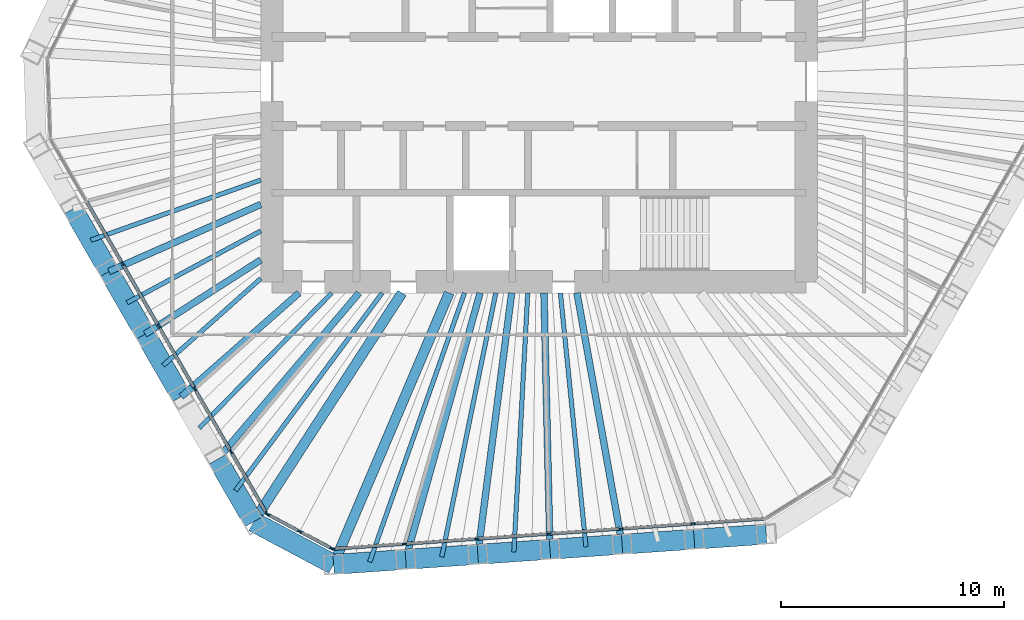
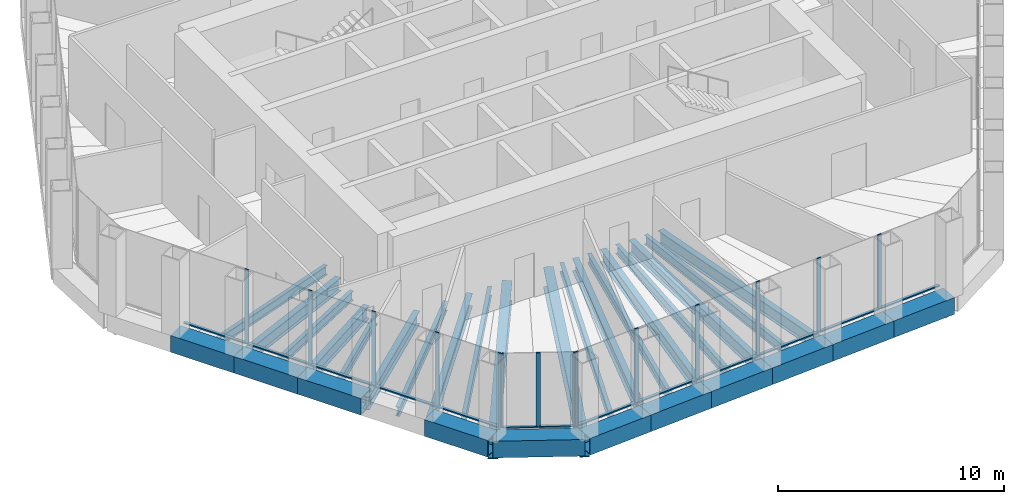
# One storey, part 2 of 14: 30 beams, 27 members, 3 elements without a shape of their own.
"""IFC4 building model written with IfcOpenShell, lengths in metres."""

from ifc_helpers import new_model, si_unit, direction, frame, origin, origin_2d, place, context, subcontext, project, spatial, rectangle, hollow_rectangle, i_section, extrude, material, material_profile, profile_set, type_object, element, aggregate, save


model = new_model("IFC4")

# Units and contexts
model_context = context("Model", 3, precision=1e-05, world=origin(), true_north=direction((0.0, 1.0)))
body_context = subcontext(model_context, "Body", "Model", "MODEL_VIEW")
ifc_project = project(units=[si_unit("LENGTHUNIT", "METRE"), si_unit("AREAUNIT", "SQUARE_METRE"), si_unit("VOLUMEUNIT", "CUBIC_METRE"), si_unit("PLANEANGLEUNIT", "RADIAN"), si_unit("MASSUNIT", "GRAM", prefix="KILO")], contexts=[model_context])

# Site, building, storey
site_placement = place(None, origin())
site = spatial("IfcSite", under=ifc_project, at=site_placement, CompositionType="ELEMENT")
building_placement = place(site_placement, origin())
building = spatial("IfcBuilding", under=site, at=building_placement, Name="Qingtian Harvest Tower", CompositionType="ELEMENT")
storey_placement = place(building_placement, frame((0.0, 0.0, 270.39990234375)))
storey = spatial("IfcBuildingStorey", under=building, at=storey_placement, Name="L59", CompositionType="ELEMENT", Elevation=270.39990234375)

# Beams
ifc_material_1 = material(Name="Steel SM570MC", Category="steel")
ifc_material_profile_1 = material_profile(ifc_material_1, i_section(OverallWidth=0.449951171875, OverallDepth=1.10009765625, WebThickness=0.02197265625, FlangeThickness=0.044921875, at=origin_2d()), Name="H1100x450x22x45")
ifc_profile_set_1 = profile_set([ifc_material_profile_1], Name="Steel SM570MC")
beam_type_1 = type_object("IfcBeamType", Name="Corner floor beam FB8 H1100x450x22x45", PredefinedType="BEAM", material=ifc_profile_set_1)
beam_1_placement = place(storey_placement, frame((-9.231201171875, -21.69677734375, -0.719970703125), z_axis=(0.391497096334, 0.920179343151, 0.0), x_axis=(-0.920179343151, 0.391497096334, 0.0)))
element("IfcBeam", 1, at=beam_1_placement, inside=storey, type_object=beam_type_1, Name="Floor beam FB8 S6", PredefinedType="BEAM", context=body_context, shape_type="SweptSolid", body=[
    extrude(i_section(OverallWidth=0.449951171875, OverallDepth=1.10009765625, WebThickness=0.02197265625, FlangeThickness=0.044921875, at=origin_2d()), origin(), (0.0, 0.0, 1.0), 13.2548828125),
])
beam_2_placement = place(storey_placement, frame((-12.825439453125, -19.78564453125, -0.719970703125), z_axis=(0.543944801957, 0.83912099987, 0.0), x_axis=(-0.83912099987, 0.543944801957, 0.0)))
element("IfcBeam", 2, at=beam_2_placement, inside=storey, type_object=beam_type_1, Name="Floor beam FB8 SW0", PredefinedType="BEAM", context=body_context, shape_type="SweptSolid", body=[
    extrude(i_section(OverallWidth=0.449951171875, OverallDepth=1.10009765625, WebThickness=0.02197265625, FlangeThickness=0.044921875, at=origin_2d()), origin(), (0.0, 0.0, 1.0), 12.257568359375),
])
ifc_material_2 = material(Name="Steel SN490B", Category="steel")
ifc_material_profile_2 = material_profile(ifc_material_2, i_section(OverallWidth=0.300048828125, OverallDepth=0.699951171875, WebThickness=0.012939453125, FlangeThickness=0.02392578125, at=origin_2d()), Name="H700x300x13x24")
ifc_profile_set_2 = profile_set([ifc_material_profile_2], Name="Steel SN490B")
beam_type_2 = type_object("IfcBeamType", Name="Floor beam FB4 H700x300x13x24", PredefinedType="BEAM", material=ifc_profile_set_2)
beam_3_placement = place(storey_placement, frame((3.729248046875, -20.79052734375, -0.52001953125), z_axis=(-0.176549332285, 0.984291792747, 0.0), x_axis=(-0.984291792747, -0.176549332285, 0.0)))
element("IfcBeam", 3, at=beam_3_placement, inside=storey, type_object=beam_type_2, Name="Floor beam FB4 S2", PredefinedType="BEAM", context=body_context, shape_type="SweptSolid", body=[
    extrude(i_section(OverallWidth=0.300048828125, OverallDepth=0.699951171875, WebThickness=0.012939453125, FlangeThickness=0.02392578125, at=origin_2d()), origin(), (0.0, 0.0, 1.0), 11.470703125),
])
beam_4_placement = place(storey_placement, frame((0.489013671875, -21.01708984375, -0.52001953125), z_axis=(-0.023248050009, 0.999729727562, 0.0), x_axis=(-0.999729727562, -0.023248050009, 0.0)))
element("IfcBeam", 4, at=beam_4_placement, inside=storey, type_object=beam_type_2, Name="Floor beam FB4 S3", PredefinedType="BEAM", context=body_context, shape_type="SweptSolid", body=[
    extrude(i_section(OverallWidth=0.300048828125, OverallDepth=0.699951171875, WebThickness=0.012939453125, FlangeThickness=0.02392578125, at=origin_2d()), origin(), (0.0, 0.0, 1.0), 11.520263671875),
])
beam_5_placement = place(storey_placement, frame((-2.7509765625, -21.24365234375, -0.52001953125), z_axis=(0.128423358095, 0.991719436683, 0.0), x_axis=(-0.991719436683, 0.128423358095, 0.0)))
element("IfcBeam", 5, at=beam_5_placement, inside=storey, type_object=beam_type_2, Name="Floor beam FB4 S4", PredefinedType="BEAM", context=body_context, shape_type="SweptSolid", body=[
    extrude(i_section(OverallWidth=0.300048828125, OverallDepth=0.699951171875, WebThickness=0.012939453125, FlangeThickness=0.02392578125, at=origin_2d()), origin(), (0.0, 0.0, 1.0), 11.841796875),
])
beam_6_placement = place(storey_placement, frame((-5.9912109375, -21.47021484375, -0.52001953125), z_axis=(0.268784556761, 0.963200322906, 0.0), x_axis=(-0.963200322906, 0.268784556761, 0.0)))
element("IfcBeam", 6, at=beam_6_placement, inside=storey, type_object=beam_type_2, Name="Floor beam FB4 S5", PredefinedType="BEAM", context=body_context, shape_type="SweptSolid", body=[
    extrude(i_section(OverallWidth=0.300048828125, OverallDepth=0.699951171875, WebThickness=0.012939453125, FlangeThickness=0.02392578125, at=origin_2d()), origin(), (0.0, 0.0, 1.0), 12.427490234375),
])
beam_7_placement = place(storey_placement, frame((-14.449462890625, -16.972900390625, -0.52001953125), z_axis=(0.64823096823, 0.761443768001, 0.0), x_axis=(-0.761443768001, 0.64823096823, 0.0)))
element("IfcBeam", 7, at=beam_7_placement, inside=storey, type_object=beam_type_2, Name="Floor beam FB4 SW1", PredefinedType="BEAM", context=body_context, shape_type="SweptSolid", body=[
    extrude(i_section(OverallWidth=0.300048828125, OverallDepth=0.699951171875, WebThickness=0.012939453125, FlangeThickness=0.02392578125, at=origin_2d()), origin(), (0.0, 0.0, 1.0), 9.814208984375),
])
beam_8_placement = place(storey_placement, frame((-16.073486328125, -14.159912109375, -0.52001953125), z_axis=(0.75036921961, 0.661018936387, 0.0), x_axis=(-0.661018936387, 0.75036921961, 0.0)))
element("IfcBeam", 8, at=beam_8_placement, inside=storey, type_object=beam_type_2, Name="Floor beam FB4 SW2", PredefinedType="BEAM", context=body_context, shape_type="SweptSolid", body=[
    extrude(i_section(OverallWidth=0.300048828125, OverallDepth=0.699951171875, WebThickness=0.012939453125, FlangeThickness=0.02392578125, at=origin_2d()), origin(), (0.0, 0.0, 1.0), 7.049560546875),
])
beam_9_placement = place(storey_placement, frame((-17.697509765625, -11.34716796875, -0.52001953125), z_axis=(0.841821552392, 0.539755939225, 0.0), x_axis=(-0.539755939225, 0.841821552392, 0.0)))
element("IfcBeam", 9, at=beam_9_placement, inside=storey, type_object=beam_type_2, Name="Floor beam FB4 SW3", PredefinedType="BEAM", context=body_context, shape_type="SweptSolid", body=[
    extrude(i_section(OverallWidth=0.300048828125, OverallDepth=0.699951171875, WebThickness=0.012939453125, FlangeThickness=0.02392578125, at=origin_2d()), origin(), (0.0, 0.0, 1.0), 6.174072265625),
])
beam_10_placement = place(storey_placement, frame((-19.321533203125, -8.5341796875, -0.52001953125), z_axis=(0.914747389649, 0.404026253021, 0.0), x_axis=(-0.404026253021, 0.914747389649, 0.0)))
element("IfcBeam", 10, at=beam_10_placement, inside=storey, type_object=beam_type_2, Name="Floor beam FB4 SW4", PredefinedType="BEAM", context=body_context, shape_type="SweptSolid", body=[
    extrude(i_section(OverallWidth=0.300048828125, OverallDepth=0.699951171875, WebThickness=0.012939453125, FlangeThickness=0.02392578125, at=origin_2d()), origin(), (0.0, 0.0, 1.0), 7.457275390625),
])
ifc_material_3 = material(Name="Steel SN490B", Category="steel")
ifc_material_profile_3 = material_profile(ifc_material_3, i_section(OverallWidth=0.199951171875, OverallDepth=0.5, WebThickness=0.010009765625, FlangeThickness=0.01611328125, at=origin_2d()), Name="H500x200x10x16")
ifc_profile_set_3 = profile_set([ifc_material_profile_3], Name="Steel SN490B")
beam_type_3 = type_object("IfcBeamType", Name="Floor joist J3 H500x200x10x16", PredefinedType="JOIST", material=ifc_profile_set_3)
beam_11_placement = place(storey_placement, frame((2.109130859375, -20.90380859375, -0.419921875), z_axis=(-0.100389444623, 0.994948219461, 0.0), x_axis=(-0.994948219461, -0.100389444623, 0.0)))
element("IfcBeam", 11, at=beam_11_placement, inside=storey, type_object=beam_type_3, Name="Floor joist J3 S2", PredefinedType="JOIST", context=body_context, shape_type="SweptSolid", body=[
    extrude(i_section(OverallWidth=0.199951171875, OverallDepth=0.5, WebThickness=0.010009765625, FlangeThickness=0.01611328125, at=origin_2d()), origin(), (0.0, 0.0, 1.0), 11.461669921875),
])
beam_12_placement = place(storey_placement, frame((-1.130859375, -21.13037109375, -0.419921875), z_axis=(0.053431269754, 0.998571529442, 0.0), x_axis=(-0.998571529442, 0.053431269754, 0.0)))
element("IfcBeam", 12, at=beam_12_placement, inside=storey, type_object=beam_type_3, Name="Floor joist J3 S3", PredefinedType="JOIST", context=body_context, shape_type="SweptSolid", body=[
    extrude(i_section(OverallWidth=0.199951171875, OverallDepth=0.5, WebThickness=0.010009765625, FlangeThickness=0.01611328125, at=origin_2d()), origin(), (0.0, 0.0, 1.0), 11.64697265625),
])
beam_13_placement = place(storey_placement, frame((-4.37109375, -21.35693359375, -0.419921875), z_axis=(0.20051328843, 0.979690982485, 0.0), x_axis=(-0.979690982485, 0.20051328843, 0.0)))
element("IfcBeam", 13, at=beam_13_placement, inside=storey, type_object=beam_type_3, Name="Floor joist J3 S4", PredefinedType="JOIST", context=body_context, shape_type="SweptSolid", body=[
    extrude(i_section(OverallWidth=0.199951171875, OverallDepth=0.5, WebThickness=0.010009765625, FlangeThickness=0.01611328125, at=origin_2d()), origin(), (0.0, 0.0, 1.0), 12.102783203125),
])
beam_14_placement = place(storey_placement, frame((-7.611083984375, -21.58349609375, -0.419921875), z_axis=(0.332557973755, 0.943082814016, 0.0), x_axis=(-0.943082814016, 0.332557973755, 0.0)))
element("IfcBeam", 14, at=beam_14_placement, inside=storey, type_object=beam_type_3, Name="Floor joist J3 S5", PredefinedType="JOIST", context=body_context, shape_type="SweptSolid", body=[
    extrude(i_section(OverallWidth=0.199951171875, OverallDepth=0.5, WebThickness=0.010009765625, FlangeThickness=0.01611328125, at=origin_2d()), origin(), (0.0, 0.0, 1.0), 12.812744140625),
])
beam_15_placement = place(storey_placement, frame((-13.637451171875, -18.37939453125, -0.419921875), z_axis=(0.59587265023, 0.80307894052, 0.0), x_axis=(-0.80307894052, 0.59587265023, 0.0)))
element("IfcBeam", 15, at=beam_15_placement, inside=storey, type_object=beam_type_3, Name="Floor joist J3 SW0", PredefinedType="JOIST", context=body_context, shape_type="SweptSolid", body=[
    extrude(i_section(OverallWidth=0.199951171875, OverallDepth=0.5, WebThickness=0.010009765625, FlangeThickness=0.01611328125, at=origin_2d()), origin(), (0.0, 0.0, 1.0), 11.056640625),
])
beam_16_placement = place(storey_placement, frame((-15.261474609375, -15.56640625, -0.419921875), z_axis=(0.700074571426, 0.714069740602, 0.0), x_axis=(-0.714069740602, 0.700074571426, 0.0)))
element("IfcBeam", 16, at=beam_16_placement, inside=storey, type_object=beam_type_3, Name="Floor joist J3 SW1", PredefinedType="JOIST", context=body_context, shape_type="SweptSolid", body=[
    extrude(i_section(OverallWidth=0.199951171875, OverallDepth=0.5, WebThickness=0.010009765625, FlangeThickness=0.01611328125, at=origin_2d()), origin(), (0.0, 0.0, 1.0), 8.49560546875),
])
beam_17_placement = place(storey_placement, frame((-16.885498046875, -12.753662109375, -0.419921875), z_axis=(0.746957180478, 0.664872146004, 0.0), x_axis=(-0.664872146004, 0.746957180478, 0.0)))
element("IfcBeam", 17, at=beam_17_placement, inside=storey, type_object=beam_type_3, Name="Floor joist J3 SW2", PredefinedType="JOIST", context=body_context, shape_type="SweptSolid", body=[
    extrude(i_section(OverallWidth=0.199951171875, OverallDepth=0.5, WebThickness=0.010009765625, FlangeThickness=0.01611328125, at=origin_2d()), origin(), (0.0, 0.0, 1.0), 5.87109375),
])
beam_18_placement = place(storey_placement, frame((-18.509521484375, -9.940673828125, -0.419921875), z_axis=(0.880981997123, 0.473149786795, 0.0), x_axis=(-0.473149786795, 0.880981997123, 0.0)))
element("IfcBeam", 18, at=beam_18_placement, inside=storey, type_object=beam_type_3, Name="Floor joist J3 SW3", PredefinedType="JOIST", context=body_context, shape_type="SweptSolid", body=[
    extrude(i_section(OverallWidth=0.199951171875, OverallDepth=0.5, WebThickness=0.010009765625, FlangeThickness=0.01611328125, at=origin_2d()), origin(), (0.0, 0.0, 1.0), 6.8212890625),
])
beam_19_placement = place(storey_placement, frame((-20.133544921875, -7.1279296875, -0.419921875), z_axis=(0.942662600818, 0.333747241215, 0.0), x_axis=(-0.333747241215, 0.942662600818, 0.0)))
element("IfcBeam", 19, at=beam_19_placement, inside=storey, type_object=beam_type_3, Name="Floor joist J3 SW4", PredefinedType="JOIST", context=body_context, shape_type="SweptSolid", body=[
    extrude(i_section(OverallWidth=0.199951171875, OverallDepth=0.5, WebThickness=0.010009765625, FlangeThickness=0.01611328125, at=origin_2d()), origin(), (0.0, 0.0, 1.0), 8.097900390625),
])

# Curtain wall, members
ifc_material_4 = material(Name="Bronze-anodised aluminium curtain wall", Category="aluminium")
curtain_wall_type = type_object("IfcCurtainWallType", Name="Curtain wall CW5 upper office", PredefinedType="USERDEFINED", material=ifc_material_4)
curtain_wall_1_placement = place(storey_placement, origin())
curtain_wall_1 = element("IfcCurtainWall", 20, at=curtain_wall_1_placement, inside=storey, type_object=curtain_wall_type, Name="Curtain wall CW5 L59 S0-5", ObjectType="RECESSED CURTAIN WALL", PredefinedType="USERDEFINED")
ifc_material_5 = material(Name="Bronze-anodised aluminium mullion", Category="aluminium")
ifc_material_profile_4 = material_profile(ifc_material_5, rectangle(XDim=0.06494140625, YDim=0.199951171875, at=origin_2d()), Name="AL 65x200")
ifc_profile_set_4 = profile_set([ifc_material_profile_4], Name="Bronze-anodised aluminium mullion")
member_type_1 = type_object("IfcMemberType", Name="Mullion CWM 65x200", PredefinedType="MULLION", material=ifc_profile_set_4)
member_1_placement = place(storey_placement, frame((6.92041015625, -19.86572265625, 0.0), z_axis=(0.0, 0.0, 1.0), x_axis=(0.069756473744, -0.99756405026, 0.0)))
member_1 = element("IfcMember", 21, at=member_1_placement, type_object=member_type_1, Name="CW5 mullion 2", PredefinedType="MULLION", context=body_context, shape_type="SweptSolid", body=[
    extrude(rectangle(XDim=0.06494140625, YDim=0.199951171875, at=origin_2d()), origin(), (0.0, 0.0, 1.0), 4.030029296875),
])
member_2_placement = place(storey_placement, frame((3.680419921875, -20.09228515625, 0.0), z_axis=(0.0, 0.0, 1.0), x_axis=(0.069756473744, -0.99756405026, 0.0)))
member_2 = element("IfcMember", 22, at=member_2_placement, type_object=member_type_1, Name="CW5 mullion 3", PredefinedType="MULLION", context=body_context, shape_type="SweptSolid", body=[
    extrude(rectangle(XDim=0.06494140625, YDim=0.199951171875, at=origin_2d()), origin(), (0.0, 0.0, 1.0), 4.030029296875),
])
member_3_placement = place(storey_placement, frame((0.440185546875, -20.31884765625, 0.0), z_axis=(0.0, 0.0, 1.0), x_axis=(0.069756473744, -0.99756405026, 0.0)))
member_3 = element("IfcMember", 23, at=member_3_placement, type_object=member_type_1, Name="CW5 mullion 4", PredefinedType="MULLION", context=body_context, shape_type="SweptSolid", body=[
    extrude(rectangle(XDim=0.06494140625, YDim=0.199951171875, at=origin_2d()), origin(), (0.0, 0.0, 1.0), 4.030029296875),
])
member_4_placement = place(storey_placement, frame((-2.7998046875, -20.54541015625, 0.0), z_axis=(0.0, 0.0, 1.0), x_axis=(0.069756473744, -0.99756405026, 0.0)))
member_4 = element("IfcMember", 24, at=member_4_placement, type_object=member_type_1, Name="CW5 mullion 5", PredefinedType="MULLION", context=body_context, shape_type="SweptSolid", body=[
    extrude(rectangle(XDim=0.06494140625, YDim=0.199951171875, at=origin_2d()), origin(), (0.0, 0.0, 1.0), 4.030029296875),
])
member_5_placement = place(storey_placement, frame((-6.0400390625, -20.77197265625, 0.0), z_axis=(0.0, 0.0, 1.0), x_axis=(0.069756473744, -0.99756405026, 0.0)))
member_5 = element("IfcMember", 25, at=member_5_placement, type_object=member_type_1, Name="CW5 mullion 6", PredefinedType="MULLION", context=body_context, shape_type="SweptSolid", body=[
    extrude(rectangle(XDim=0.06494140625, YDim=0.199951171875, at=origin_2d()), origin(), (0.0, 0.0, 1.0), 4.030029296875),
])
member_6_placement = place(storey_placement, frame((-9.24755859375, -20.996337890625, 0.0), z_axis=(0.0, 0.0, 1.0), x_axis=(0.069756473744, -0.99756405026, 0.0)))
member_6 = element("IfcMember", 26, at=member_6_placement, type_object=member_type_1, Name="CW5 mullion 7", PredefinedType="MULLION", context=body_context, shape_type="SweptSolid", body=[
    extrude(rectangle(XDim=0.06494140625, YDim=0.199951171875, at=origin_2d()), origin(), (0.0, 0.0, 1.0), 4.030029296875),
])

curtain_wall_2_placement = place(storey_placement, origin())
curtain_wall_2 = element("IfcCurtainWall", 27, at=curtain_wall_2_placement, inside=storey, type_object=curtain_wall_type, Name="Curtain wall CW5 L59 SC", ObjectType="RECESSED CURTAIN WALL", PredefinedType="USERDEFINED")
member_7_placement = place(storey_placement, frame((-9.308837890625, -20.983154296875, 0.0), z_axis=(0.0, 0.0, 1.0), x_axis=(-0.469471562786, -0.882947592859, 0.0)))
member_7 = element("IfcMember", 28, at=member_7_placement, type_object=member_type_1, Name="CW5 mullion 1", PredefinedType="MULLION", context=body_context, shape_type="SweptSolid", body=[
    extrude(rectangle(XDim=0.06494140625, YDim=0.199951171875, at=origin_2d()), origin(), (0.0, 0.0, 1.0), 4.030029296875),
])
member_8_placement = place(storey_placement, frame((-10.749755859375, -20.217041015625, 0.0), z_axis=(0.0, 0.0, 1.0), x_axis=(-0.469471562786, -0.882947592859, 0.0)))
member_8 = element("IfcMember", 29, at=member_8_placement, type_object=member_type_1, Name="CW5 mullion 2", PredefinedType="MULLION", context=body_context, shape_type="SweptSolid", body=[
    extrude(rectangle(XDim=0.06494140625, YDim=0.199951171875, at=origin_2d()), origin(), (0.0, 0.0, 1.0), 4.030029296875),
])
member_9_placement = place(storey_placement, frame((-12.1904296875, -19.450927734375, 0.0), z_axis=(0.0, 0.0, 1.0), x_axis=(-0.469471562786, -0.882947592859, 0.0)))
member_9 = element("IfcMember", 30, at=member_9_placement, type_object=member_type_1, Name="CW5 mullion 3", PredefinedType="MULLION", context=body_context, shape_type="SweptSolid", body=[
    extrude(rectangle(XDim=0.06494140625, YDim=0.199951171875, at=origin_2d()), origin(), (0.0, 0.0, 1.0), 4.030029296875),
])

curtain_wall_3_placement = place(storey_placement, origin())
curtain_wall_3 = element("IfcCurtainWall", 31, at=curtain_wall_3_placement, inside=storey, type_object=curtain_wall_type, Name="Curtain wall CW5 L59 SW0-5", ObjectType="RECESSED CURTAIN WALL", PredefinedType="USERDEFINED")
member_10_placement = place(storey_placement, frame((-12.2353515625, -19.40771484375, 0.0), z_axis=(0.0, 0.0, 1.0), x_axis=(-0.866025403784, -0.5, 0.0)))
member_10 = element("IfcMember", 32, at=member_10_placement, type_object=member_type_1, Name="CW5 mullion 1", PredefinedType="MULLION", context=body_context, shape_type="SweptSolid", body=[
    extrude(rectangle(XDim=0.06494140625, YDim=0.199951171875, at=origin_2d()), origin(), (0.0, 0.0, 1.0), 4.030029296875),
])
member_11_placement = place(storey_placement, frame((-13.84326171875, -16.622802734375, 0.0), z_axis=(0.0, 0.0, 1.0), x_axis=(-0.866025403784, -0.5, 0.0)))
member_11 = element("IfcMember", 33, at=member_11_placement, type_object=member_type_1, Name="CW5 mullion 2", PredefinedType="MULLION", context=body_context, shape_type="SweptSolid", body=[
    extrude(rectangle(XDim=0.06494140625, YDim=0.199951171875, at=origin_2d()), origin(), (0.0, 0.0, 1.0), 4.030029296875),
])
member_12_placement = place(storey_placement, frame((-15.46728515625, -13.81005859375, 0.0), z_axis=(0.0, 0.0, 1.0), x_axis=(-0.866025403784, -0.5, 0.0)))
member_12 = element("IfcMember", 34, at=member_12_placement, type_object=member_type_1, Name="CW5 mullion 3", PredefinedType="MULLION", context=body_context, shape_type="SweptSolid", body=[
    extrude(rectangle(XDim=0.06494140625, YDim=0.199951171875, at=origin_2d()), origin(), (0.0, 0.0, 1.0), 4.030029296875),
])
member_13_placement = place(storey_placement, frame((-17.09130859375, -10.9970703125, 0.0), z_axis=(0.0, 0.0, 1.0), x_axis=(-0.866025403784, -0.5, 0.0)))
member_13 = element("IfcMember", 35, at=member_13_placement, type_object=member_type_1, Name="CW5 mullion 4", PredefinedType="MULLION", context=body_context, shape_type="SweptSolid", body=[
    extrude(rectangle(XDim=0.06494140625, YDim=0.199951171875, at=origin_2d()), origin(), (0.0, 0.0, 1.0), 4.030029296875),
])
member_14_placement = place(storey_placement, frame((-18.71533203125, -8.184326171875, 0.0), z_axis=(0.0, 0.0, 1.0), x_axis=(-0.866025403784, -0.5, 0.0)))
member_14 = element("IfcMember", 36, at=member_14_placement, type_object=member_type_1, Name="CW5 mullion 5", PredefinedType="MULLION", context=body_context, shape_type="SweptSolid", body=[
    extrude(rectangle(XDim=0.06494140625, YDim=0.199951171875, at=origin_2d()), origin(), (0.0, 0.0, 1.0), 4.030029296875),
])

# Beams
ifc_material_6 = material(Name="Steel SM570MC", Category="steel")
ifc_material_profile_5 = material_profile(ifc_material_6, hollow_rectangle(XDim=0.89990234375, YDim=0.89990234375, WallThickness=0.050048828125, at=origin_2d()), Name="BOX900x900x50")
ifc_profile_set_5 = profile_set([ifc_material_profile_5], Name="Steel SM570MC")
beam_type_4 = type_object("IfcBeamType", Name="Transition spandrel SB6 BOX900x900x50", PredefinedType="SPANDREL", material=ifc_profile_set_5)
beam_20_placement = place(storey_placement, frame((10.20947265625, -20.33740234375, -0.449951171875), z_axis=(-0.9975644093, -0.069751339047, 0.0), x_axis=(0.069751339047, -0.9975644093, 0.0)))
element("IfcBeam", 37, at=beam_20_placement, inside=storey, type_object=beam_type_4, Name="Spandrel SB6 S0", PredefinedType="SPANDREL", context=body_context, shape_type="SweptSolid", body=[
    extrude(hollow_rectangle(XDim=0.89990234375, YDim=0.89990234375, WallThickness=0.050048828125, at=origin_2d()), origin(), (0.0, 0.0, 1.0), 3.248046875),
])
beam_21_placement = place(storey_placement, frame((6.96923828125, -20.56396484375, -0.449951171875), z_axis=(-0.997564043571, -0.069756569394, 0.0), x_axis=(0.069756569394, -0.997564043571, 0.0)))
element("IfcBeam", 38, at=beam_21_placement, inside=storey, type_object=beam_type_4, Name="Spandrel SB6 S1", PredefinedType="SPANDREL", context=body_context, shape_type="SweptSolid", body=[
    extrude(hollow_rectangle(XDim=0.89990234375, YDim=0.89990234375, WallThickness=0.050048828125, at=origin_2d()), origin(), (0.0, 0.0, 1.0), 3.247802734375),
])
beam_22_placement = place(storey_placement, frame((3.729248046875, -20.79052734375, -0.449951171875), z_axis=(-0.9975644093, -0.069751339047, 0.0), x_axis=(0.069751339047, -0.9975644093, 0.0)))
element("IfcBeam", 39, at=beam_22_placement, inside=storey, type_object=beam_type_4, Name="Spandrel SB6 S2", PredefinedType="SPANDREL", context=body_context, shape_type="SweptSolid", body=[
    extrude(hollow_rectangle(XDim=0.89990234375, YDim=0.89990234375, WallThickness=0.050048828125, at=origin_2d()), origin(), (0.0, 0.0, 1.0), 3.248046875),
])
beam_23_placement = place(storey_placement, frame((0.489013671875, -21.01708984375, -0.449951171875), z_axis=(-0.997564043571, -0.069756569394, 0.0), x_axis=(0.069756569394, -0.997564043571, 0.0)))
element("IfcBeam", 40, at=beam_23_placement, inside=storey, type_object=beam_type_4, Name="Spandrel SB6 S3", PredefinedType="SPANDREL", context=body_context, shape_type="SweptSolid", body=[
    extrude(hollow_rectangle(XDim=0.89990234375, YDim=0.89990234375, WallThickness=0.050048828125, at=origin_2d()), origin(), (0.0, 0.0, 1.0), 3.247802734375),
])
beam_24_placement = place(storey_placement, frame((-2.7509765625, -21.24365234375, -0.449951171875), z_axis=(-0.9975644093, -0.069751339047, 0.0), x_axis=(0.069751339047, -0.9975644093, 0.0)))
element("IfcBeam", 41, at=beam_24_placement, inside=storey, type_object=beam_type_4, Name="Spandrel SB6 S4", PredefinedType="SPANDREL", context=body_context, shape_type="SweptSolid", body=[
    extrude(hollow_rectangle(XDim=0.89990234375, YDim=0.89990234375, WallThickness=0.050048828125, at=origin_2d()), origin(), (0.0, 0.0, 1.0), 3.248046875),
])
beam_25_placement = place(storey_placement, frame((-5.9912109375, -21.47021484375, -0.449951171875), z_axis=(-0.997564043571, -0.069756569394, 0.0), x_axis=(0.069756569394, -0.997564043571, 0.0)))
element("IfcBeam", 42, at=beam_25_placement, inside=storey, type_object=beam_type_4, Name="Spandrel SB6 S5", PredefinedType="SPANDREL", context=body_context, shape_type="SweptSolid", body=[
    extrude(hollow_rectangle(XDim=0.89990234375, YDim=0.89990234375, WallThickness=0.050048828125, at=origin_2d()), origin(), (0.0, 0.0, 1.0), 3.247802734375),
])
beam_26_placement = place(storey_placement, frame((-9.231201171875, -21.69677734375, -0.449951171875), z_axis=(-0.882943273379, 0.469479686456, 0.0), x_axis=(-0.469479686456, -0.882943273379, 0.0)))
element("IfcBeam", 43, at=beam_26_placement, inside=storey, type_object=beam_type_4, Name="Spandrel SB6 SC", PredefinedType="SPANDREL", context=body_context, shape_type="SweptSolid", body=[
    extrude(hollow_rectangle(XDim=0.89990234375, YDim=0.89990234375, WallThickness=0.050048828125, at=origin_2d()), origin(), (0.0, 0.0, 1.0), 4.07080078125),
])
for number, where, z_axis, x_axis, name in (
    (44, (-12.825439453125, -19.78564453125, -0.449951171875), (-0.500019593356, 0.866014091259, 0.0), (-0.866014091259, -0.500019593356, 0.0), "Spandrel SB6 SW0"),
    (45, (-16.073486328125, -14.159912109375, -0.449951171875), (-0.500019593356, 0.866014091259, 0.0), (-0.866014091259, -0.500019593356, 0.0), "Spandrel SB6 SW2"),
):
    element("IfcBeam", number, at=place(storey_placement, frame(where, z_axis=z_axis, x_axis=x_axis)), inside=storey, type_object=beam_type_4, Name=name, PredefinedType="SPANDREL", context=body_context, shape_type="SweptSolid", body=[
        extrude(hollow_rectangle(XDim=0.89990234375, YDim=0.89990234375, WallThickness=0.050048828125, at=origin_2d()), origin(), (0.0, 0.0, 1.0), 3.247802734375),
    ])
beam_27_placement = place(storey_placement, frame((-17.697509765625, -11.34716796875, -0.449951171875), z_axis=(-0.499987045439, 0.866032882975, 0.0), x_axis=(-0.866032882975, -0.499987045439, 0.0)))
element("IfcBeam", 46, at=beam_27_placement, inside=storey, type_object=beam_type_4, Name="Spandrel SB6 SW3", PredefinedType="SPANDREL", context=body_context, shape_type="SweptSolid", body=[
    extrude(hollow_rectangle(XDim=0.89990234375, YDim=0.89990234375, WallThickness=0.050048828125, at=origin_2d()), origin(), (0.0, 0.0, 1.0), 3.248046875),
])
beam_28_placement = place(storey_placement, frame((-19.321533203125, -8.5341796875, -0.449951171875), z_axis=(-0.500019593356, 0.866014091259, 0.0), x_axis=(-0.866014091259, -0.500019593356, 0.0)))
element("IfcBeam", 47, at=beam_28_placement, inside=storey, type_object=beam_type_4, Name="Spandrel SB6 SW4", PredefinedType="SPANDREL", context=body_context, shape_type="SweptSolid", body=[
    extrude(hollow_rectangle(XDim=0.89990234375, YDim=0.89990234375, WallThickness=0.050048828125, at=origin_2d()), origin(), (0.0, 0.0, 1.0), 3.247802734375),
])

# Member
ifc_material_7 = material(Name="Bronze-anodised aluminium transom", Category="aluminium")
ifc_material_profile_6 = material_profile(ifc_material_7, rectangle(XDim=0.14990234375, YDim=0.06494140625, at=origin_2d()), Name="AL 65x150")
ifc_profile_set_6 = profile_set([ifc_material_profile_6], Name="Bronze-anodised aluminium transom")
member_type_2 = type_object("IfcMemberType", Name="Transom CWT 65x150", PredefinedType="USERDEFINED", material=ifc_profile_set_6)
member_15_placement = place(storey_placement, frame((10.095703125, -19.6435546875, 0.03271484375), z_axis=(-0.997564955301, -0.069743529851, 0.0), x_axis=(0.069743529851, -0.997564955301, 0.0)))
member_15 = element("IfcMember", 48, at=member_15_placement, type_object=member_type_2, Name="CW5 transom 1.1", ObjectType="TRANSOM", PredefinedType="USERDEFINED", context=body_context, shape_type="SweptSolid", body=[
    extrude(rectangle(XDim=0.14990234375, YDim=0.06494140625, at=origin_2d()), origin(), (0.0, 0.0, 1.0), 3.150390625),
])

member_16_placement = place(storey_placement, frame((6.88818359375, -19.867919921875, 0.03271484375), z_axis=(-0.997566548107, -0.069720743674, 0.0), x_axis=(0.069720743674, -0.997566548107, 0.0)))
member_16 = element("IfcMember", 49, at=member_16_placement, type_object=member_type_2, Name="CW5 transom 2.1", ObjectType="TRANSOM", PredefinedType="USERDEFINED", context=body_context, shape_type="SweptSolid", body=[
    extrude(rectangle(XDim=0.14990234375, YDim=0.06494140625, at=origin_2d()), origin(), (0.0, 0.0, 1.0), 3.18310546875),
])

member_17_placement = place(storey_placement, frame((3.64794921875, -20.094482421875, 0.03271484375), z_axis=(-0.997566548107, -0.069720743674, 0.0), x_axis=(0.069720743674, -0.997566548107, 0.0)))
member_17 = element("IfcMember", 50, at=member_17_placement, type_object=member_type_2, Name="CW5 transom 3.1", ObjectType="TRANSOM", PredefinedType="USERDEFINED", context=body_context, shape_type="SweptSolid", body=[
    extrude(rectangle(XDim=0.14990234375, YDim=0.06494140625, at=origin_2d()), origin(), (0.0, 0.0, 1.0), 3.18310546875),
])

member_18_placement = place(storey_placement, frame((0.407958984375, -20.321044921875, 0.03271484375), z_axis=(-0.997566548107, -0.069720743674, 0.0), x_axis=(0.069720743674, -0.997566548107, 0.0)))
member_18 = element("IfcMember", 51, at=member_18_placement, type_object=member_type_2, Name="CW5 transom 4.1", ObjectType="TRANSOM", PredefinedType="USERDEFINED", context=body_context, shape_type="SweptSolid", body=[
    extrude(rectangle(XDim=0.14990234375, YDim=0.06494140625, at=origin_2d()), origin(), (0.0, 0.0, 1.0), 3.18310546875),
])

member_19_placement = place(storey_placement, frame((-2.832275390625, -20.547607421875, 0.03271484375), z_axis=(-0.997561210613, -0.06979707071, 0.0), x_axis=(0.06979707071, -0.997561210613, 0.0)))
member_19 = element("IfcMember", 52, at=member_19_placement, type_object=member_type_2, Name="CW5 transom 5.1", ObjectType="TRANSOM", PredefinedType="USERDEFINED", context=body_context, shape_type="SweptSolid", body=[
    extrude(rectangle(XDim=0.14990234375, YDim=0.06494140625, at=origin_2d()), origin(), (0.0, 0.0, 1.0), 3.18310546875),
])

member_20_placement = place(storey_placement, frame((-6.072509765625, -20.774169921875, 0.03271484375), z_axis=(-0.997564955301, -0.069743529851, 0.0), x_axis=(0.069743529851, -0.997564955301, 0.0)))
member_20 = element("IfcMember", 53, at=member_20_placement, type_object=member_type_2, Name="CW5 transom 6.1", ObjectType="TRANSOM", PredefinedType="USERDEFINED", context=body_context, shape_type="SweptSolid", body=[
    extrude(rectangle(XDim=0.14990234375, YDim=0.06494140625, at=origin_2d()), origin(), (0.0, 0.0, 1.0), 3.150390625),
])

aggregate(curtain_wall_1, [member_1, member_2, member_3, member_4, member_5, member_6, member_15, member_16, member_17, member_18, member_19, member_20])

member_21_placement = place(storey_placement, frame((-9.33740234375, -20.968017578125, 0.03271484375), z_axis=(-0.882960338349, 0.46944759122, 0.0), x_axis=(-0.46944759122, -0.882960338349, 0.0)))
member_21 = element("IfcMember", 54, at=member_21_placement, type_object=member_type_2, Name="CW5 transom 1.1", ObjectType="TRANSOM", PredefinedType="USERDEFINED", context=body_context, shape_type="SweptSolid", body=[
    extrude(rectangle(XDim=0.14990234375, YDim=0.06494140625, at=origin_2d()), origin(), (0.0, 0.0, 1.0), 1.56689453125),
])

member_22_placement = place(storey_placement, frame((-10.7783203125, -20.201904296875, 0.03271484375), z_axis=(-0.882960338349, 0.46944759122, 0.0), x_axis=(-0.46944759122, -0.882960338349, 0.0)))
member_22 = element("IfcMember", 55, at=member_22_placement, type_object=member_type_2, Name="CW5 transom 2.1", ObjectType="TRANSOM", PredefinedType="USERDEFINED", context=body_context, shape_type="SweptSolid", body=[
    extrude(rectangle(XDim=0.14990234375, YDim=0.06494140625, at=origin_2d()), origin(), (0.0, 0.0, 1.0), 1.56689453125),
])

aggregate(curtain_wall_2, [member_7, member_8, member_9, member_21, member_22])

member_23_placement = place(storey_placement, frame((-12.251708984375, -19.37939453125, 0.03271484375), z_axis=(-0.50000643655, 0.866021687608, 0.0), x_axis=(-0.866021687608, -0.50000643655, 0.0)))
member_23 = element("IfcMember", 56, at=member_23_placement, type_object=member_type_2, Name="CW5 transom 1.1", ObjectType="TRANSOM", PredefinedType="USERDEFINED", context=body_context, shape_type="SweptSolid", body=[
    extrude(rectangle(XDim=0.14990234375, YDim=0.06494140625, at=origin_2d()), origin(), (0.0, 0.0, 1.0), 3.150390625),
])

member_24_placement = place(storey_placement, frame((-13.859375, -16.5947265625, 0.03271484375), z_axis=(-0.5000079448, 0.866020816803, 0.0), x_axis=(-0.866020816803, -0.5000079448, 0.0)))
member_24 = element("IfcMember", 57, at=member_24_placement, type_object=member_type_2, Name="CW5 transom 2.1", ObjectType="TRANSOM", PredefinedType="USERDEFINED", context=body_context, shape_type="SweptSolid", body=[
    extrude(rectangle(XDim=0.14990234375, YDim=0.06494140625, at=origin_2d()), origin(), (0.0, 0.0, 1.0), 3.18310546875),
])

member_25_placement = place(storey_placement, frame((-15.4833984375, -13.78173828125, 0.03271484375), z_axis=(-0.500041159108, 0.866001639258, 0.0), x_axis=(-0.866001639258, -0.500041159108, 0.0)))
member_25 = element("IfcMember", 58, at=member_25_placement, type_object=member_type_2, Name="CW5 transom 3.1", ObjectType="TRANSOM", PredefinedType="USERDEFINED", context=body_context, shape_type="SweptSolid", body=[
    extrude(rectangle(XDim=0.14990234375, YDim=0.06494140625, at=origin_2d()), origin(), (0.0, 0.0, 1.0), 3.182861328125),
])

member_26_placement = place(storey_placement, frame((-17.107421875, -10.968994140625, 0.03271484375), z_axis=(-0.5000079448, 0.866020816803, 0.0), x_axis=(-0.866020816803, -0.5000079448, 0.0)))
member_26 = element("IfcMember", 59, at=member_26_placement, type_object=member_type_2, Name="CW5 transom 4.1", ObjectType="TRANSOM", PredefinedType="USERDEFINED", context=body_context, shape_type="SweptSolid", body=[
    extrude(rectangle(XDim=0.14990234375, YDim=0.06494140625, at=origin_2d()), origin(), (0.0, 0.0, 1.0), 3.18310546875),
])

member_27_placement = place(storey_placement, frame((-18.7314453125, -8.156005859375, 0.03271484375), z_axis=(-0.5000079448, 0.866020816803, 0.0), x_axis=(-0.866020816803, -0.5000079448, 0.0)))
member_27 = element("IfcMember", 60, at=member_27_placement, type_object=member_type_2, Name="CW5 transom 5.1", ObjectType="TRANSOM", PredefinedType="USERDEFINED", context=body_context, shape_type="SweptSolid", body=[
    extrude(rectangle(XDim=0.14990234375, YDim=0.06494140625, at=origin_2d()), origin(), (0.0, 0.0, 1.0), 3.18310546875),
])

aggregate(curtain_wall_3, [member_10, member_11, member_12, member_13, member_14, member_23, member_24, member_25, member_26, member_27])

save(model, "model.ifc")
